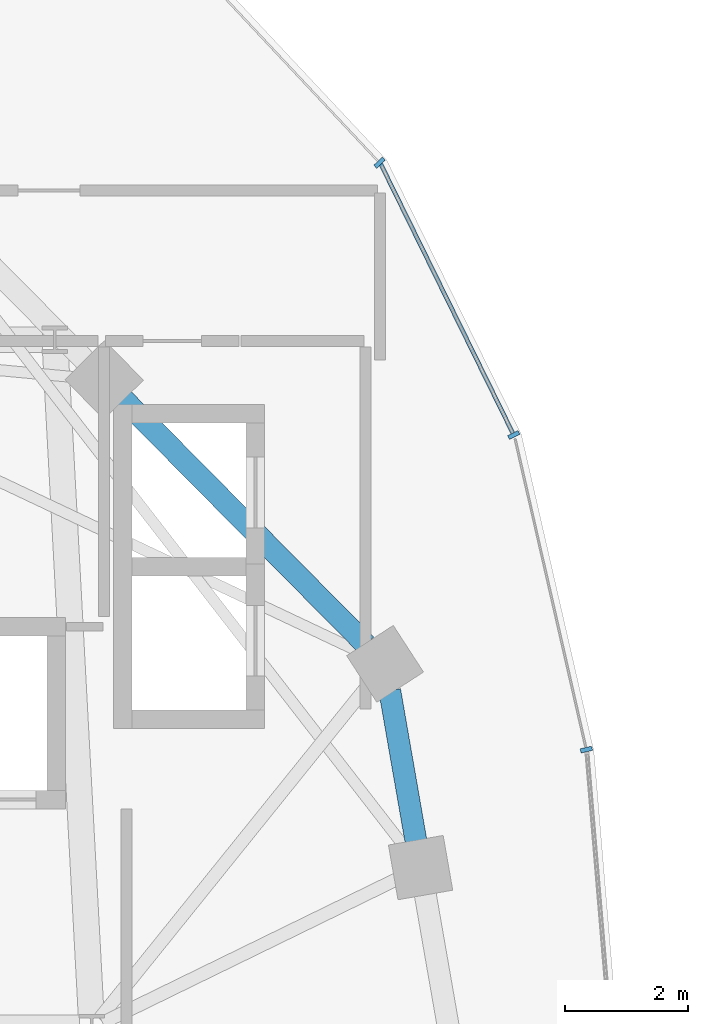
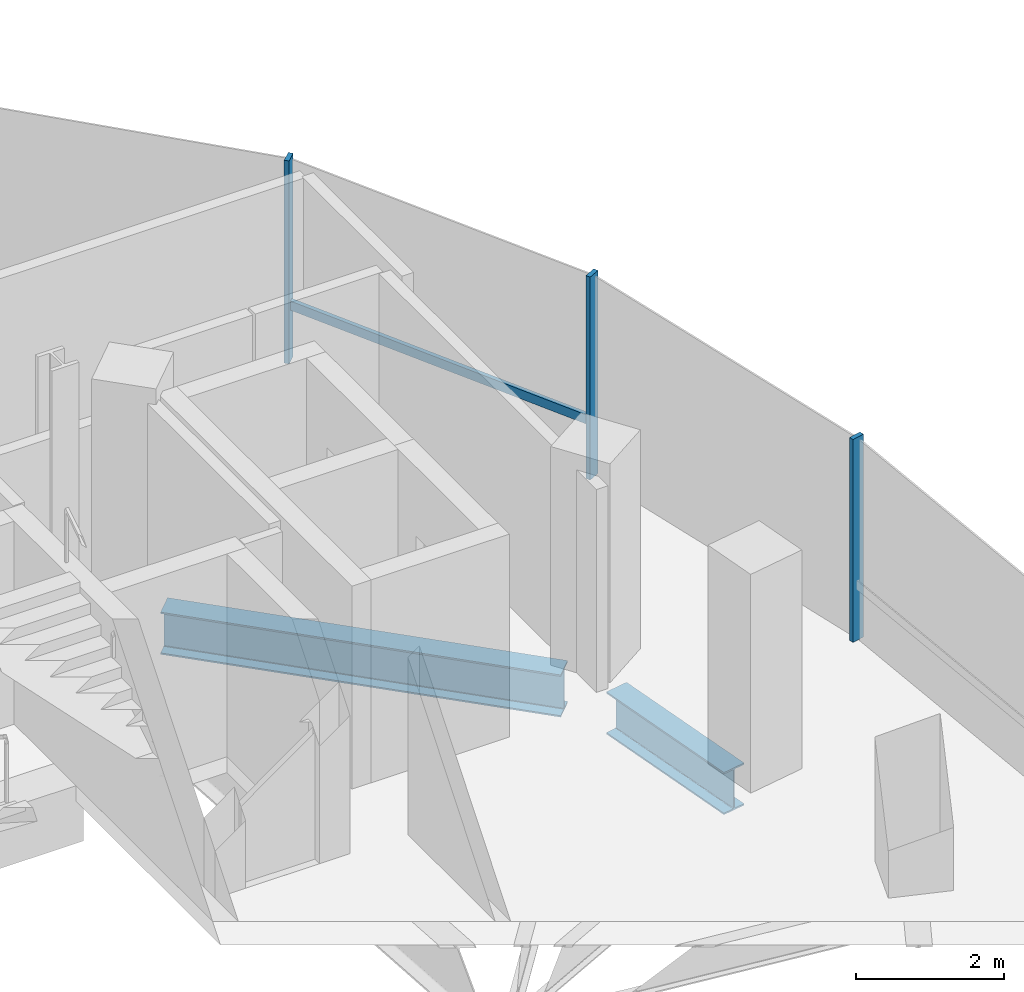
# One storey, part 7 of 25: 4 members, 2 beams, 1 element without a shape of its own.
"""IFC4 building model written with IfcOpenShell, lengths in metres."""

from ifc_helpers import new_model, si_unit, direction, frame, origin, origin_2d, place, context, subcontext, project, spatial, rectangle, i_section, extrude, material, material_profile, profile_set, type_object, element, aggregate, save


model = new_model("IFC4")

# Units and contexts
model_context = context("Model", 3, precision=1e-05, world=origin(), true_north=direction((0.0, 1.0)))
body_context = subcontext(model_context, "Body", "Model", "MODEL_VIEW")
ifc_project = project(units=[si_unit("LENGTHUNIT", "METRE"), si_unit("AREAUNIT", "SQUARE_METRE"), si_unit("VOLUMEUNIT", "CUBIC_METRE"), si_unit("PLANEANGLEUNIT", "RADIAN"), si_unit("MASSUNIT", "GRAM", prefix="KILO"), si_unit("THERMODYNAMICTEMPERATUREUNIT", "KELVIN"), si_unit("POWERUNIT", "WATT")], contexts=[model_context])

# Site, building, storey
site_placement = place(None, origin())
site = spatial("IfcSite", under=ifc_project, at=site_placement, CompositionType="ELEMENT")
building_placement = place(site_placement, origin())
building = spatial("IfcBuilding", under=site, at=building_placement, Name="Cundina Bronze Exchange", CompositionType="ELEMENT")
storey_placement = place(building_placement, frame((0.0, 0.0, 209.800048828125)))
storey = spatial("IfcBuildingStorey", under=building, at=storey_placement, Name="L55", CompositionType="ELEMENT", Elevation=209.800048828125)

# Beams
ifc_material_1 = material(Name="Steel ASTM A992 Grade 50", Category="steel")
ifc_material_profile_1 = material_profile(ifc_material_1, i_section(OverallWidth=0.35498046875, OverallDepth=0.695068359375, WebThickness=0.015380859375, FlangeThickness=0.02490234375, FilletRadius=0.01806640625, at=origin_2d()), Name="W27X146", Category="steel")
ifc_profile_set_1 = profile_set([ifc_material_profile_1], Name="Steel ASTM A992 Grade 50")
beam_type = type_object("IfcBeamType", Name="BM-RING-W27", PredefinedType="USERDEFINED", material=ifc_profile_set_1)
beam_1_placement = place(storey_placement, frame((-16.2001953125, 6.931396484375, -0.607666015625), z_axis=(-0.171628556628, 0.985161732179, 0.0), x_axis=(-0.985161732179, -0.171628556628, 0.0)))
element("IfcBeam", 1, at=beam_1_placement, inside=storey, type_object=beam_type, Name="L55 W Perimeter Ring Girder 01", ObjectType="GIRDER", PredefinedType="USERDEFINED", context=body_context, shape_type="SweptSolid", body=[
    extrude(i_section(OverallWidth=0.35498046875, OverallDepth=0.695068359375, WebThickness=0.015380859375, FlangeThickness=0.02490234375, FilletRadius=0.01806640625, at=origin_2d()), origin(), (0.0, 0.0, 1.0), 2.4736328125),
])
beam_2_placement = place(storey_placement, frame((-17.008056640625, 10.111328125, -0.607666015625), z_axis=(-0.703211928763, 0.710980297368, 0.0), x_axis=(-0.710980297368, -0.703211928763, 0.0)))
element("IfcBeam", 2, at=beam_2_placement, inside=storey, type_object=beam_type, Name="L55 W Perimeter Ring Girder 02", ObjectType="GIRDER", PredefinedType="USERDEFINED", context=body_context, shape_type="SweptSolid", body=[
    extrude(i_section(OverallWidth=0.35498046875, OverallDepth=0.695068359375, WebThickness=0.015380859375, FlangeThickness=0.02490234375, FilletRadius=0.01806640625, at=origin_2d()), origin(), (0.0, 0.0, 1.0), 5.593994140625),
])

# Curtain wall, members
ifc_material_2 = material(Name="Anodised Bronze Aluminium 6063-T6", Category="aluminium")
curtain_wall_type = type_object("IfcCurtainWallType", Name="CWS-UPP-OFF", PredefinedType="NOTDEFINED", material=ifc_material_2)
curtain_wall_placement = place(storey_placement, origin())
curtain_wall = element("IfcCurtainWall", 3, at=curtain_wall_placement, inside=storey, type_object=curtain_wall_type, Name="L55 CW-05 Curtain Wall Run CWR-L55-W1", PredefinedType="NOTDEFINED")
ifc_material_profile_2 = material_profile(ifc_material_2, rectangle(XDim=0.070068359375, YDim=0.18994140625, at=origin_2d()), Name="AL70X190", Category="aluminium")
ifc_profile_set_2 = profile_set([ifc_material_profile_2], Name="Anodised Bronze Aluminium 6063-T6")
member_type_1 = type_object("IfcMemberType", Name="CWM-MUL-190", PredefinedType="MULLION", material=ifc_profile_set_2)
member_1_placement = place(storey_placement, frame((-13.43994140625, 8.4111328125, 0.0), z_axis=(0.0, 0.0, 1.0), x_axis=(-0.223250116011, 0.974761194191, 0.0)))
member_1 = element("IfcMember", 4, at=member_1_placement, type_object=member_type_1, Name="CW-05 Mullion 2", PredefinedType="MULLION", context=body_context, shape_type="SweptSolid", body=[
    extrude(rectangle(XDim=0.070068359375, YDim=0.18994140625, at=origin_2d()), origin(), (0.0, 0.0, 1.0), 3.33984375),
])
member_2_placement = place(storey_placement, frame((-14.61572265625, 13.50732421875, 0.0), z_axis=(0.0, 0.0, 1.0), x_axis=(-0.440566004113, 0.897720221461, 0.0)))
member_2 = element("IfcMember", 5, at=member_2_placement, type_object=member_type_1, Name="CW-05 Mullion 3", PredefinedType="MULLION", context=body_context, shape_type="SweptSolid", body=[
    extrude(rectangle(XDim=0.070068359375, YDim=0.18994140625, at=origin_2d()), origin(), (0.0, 0.0, 1.0), 3.33984375),
])
member_3_placement = place(storey_placement, frame((-16.790283203125, 17.91796875, 0.0), z_axis=(0.0, 0.0, 1.0), x_axis=(-0.684292606175, 0.729207535023, 0.0)))
member_3 = element("IfcMember", 6, at=member_3_placement, type_object=member_type_1, Name="CW-05 Mullion 4", PredefinedType="MULLION", context=body_context, shape_type="SweptSolid", body=[
    extrude(rectangle(XDim=0.070068359375, YDim=0.18994140625, at=origin_2d()), origin(), (0.0, 0.0, 1.0), 3.33984375),
])
ifc_material_profile_3 = material_profile(ifc_material_2, rectangle(XDim=0.06494140625, YDim=0.14990234375, at=origin_2d()), Name="AL65X150", Category="aluminium")
ifc_profile_set_3 = profile_set([ifc_material_profile_3], Name="Anodised Bronze Aluminium 6063-T6")
member_type_2 = type_object("IfcMemberType", Name="CWM-TRN-150", PredefinedType="USERDEFINED", material=ifc_profile_set_3)
member_4_placement = place(storey_placement, frame((-14.6328125, 13.5419921875, 0.919921875), z_axis=(-0.440483110889, 0.897760897467, 0.0), x_axis=(-0.897760897467, -0.440483110889, 0.0)))
member_4 = element("IfcMember", 7, at=member_4_placement, type_object=member_type_2, Name="CW-05 Spandrel Transom 3", ObjectType="TRANSOM", PredefinedType="USERDEFINED", context=body_context, shape_type="SweptSolid", body=[
    extrude(rectangle(XDim=0.06494140625, YDim=0.14990234375, at=origin_2d()), origin(), (0.0, 0.0, 1.0), 4.855224609375),
])
aggregate(curtain_wall, [member_1, member_2, member_4, member_3])

save(model, "model.ifc")
